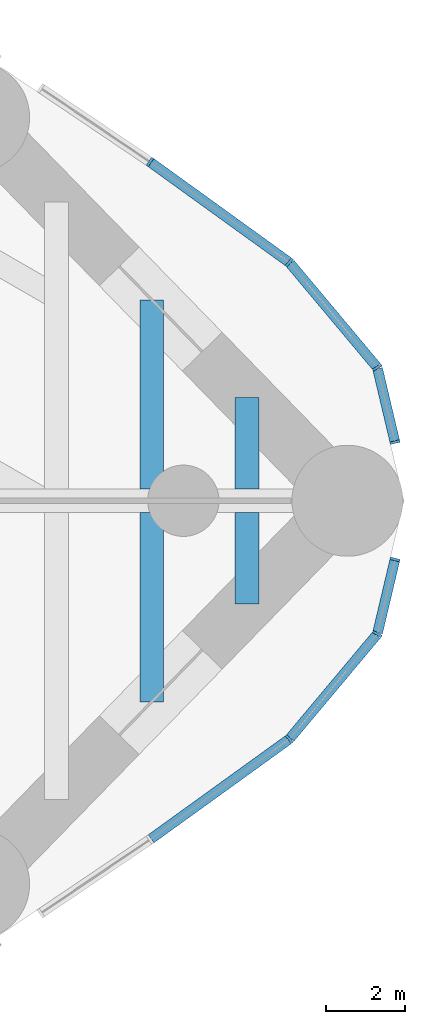
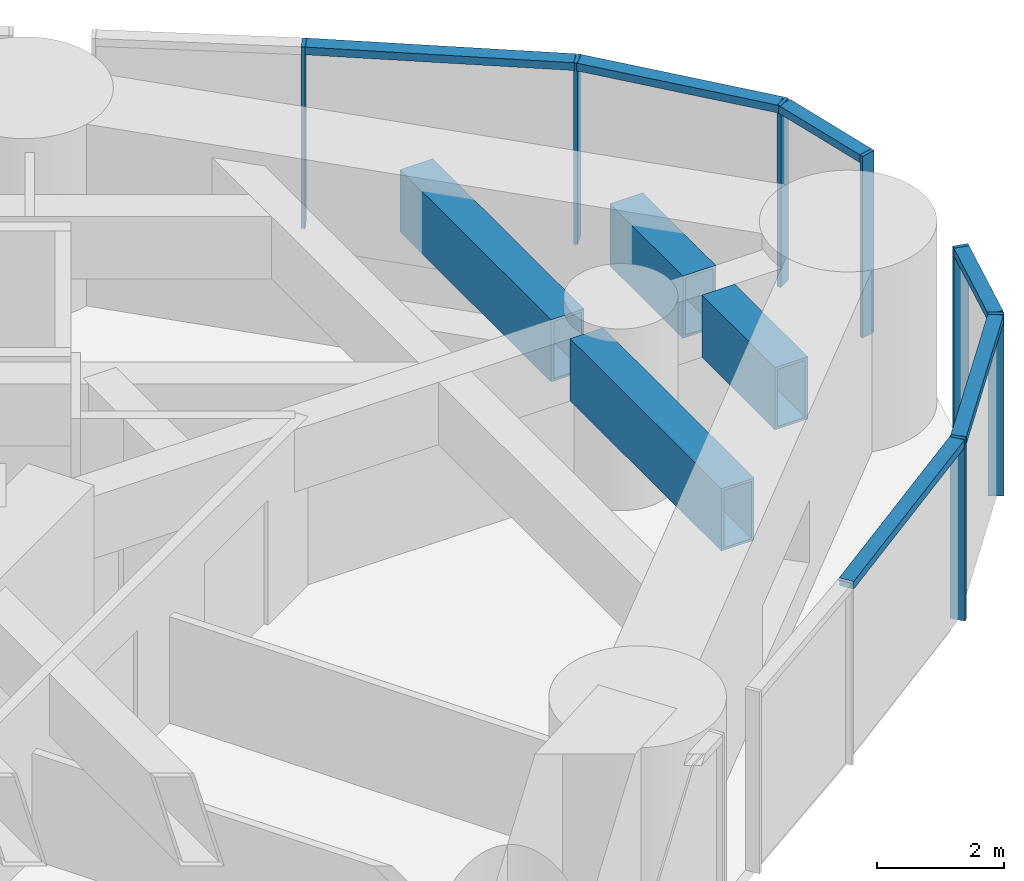
# One storey, part 9 of 17: 13 members, 4 beams, 2 elements without a shape of their own.
"""IFC4 building model written with IfcOpenShell, lengths in metres."""

from ifc_helpers import new_model, si_unit, direction, frame, origin, origin_2d, place, context, subcontext, project, spatial, rectangle, hollow_rectangle, extrude, material, material_profile, profile_set, type_object, element, aggregate, save


model = new_model("IFC4")

# Units and contexts
model_context = context("Model", 3, precision=1e-05, world=origin(), true_north=direction((0.0, 1.0)))
body_context = subcontext(model_context, "Body", "Model", "MODEL_VIEW")
ifc_project = project(units=[si_unit("LENGTHUNIT", "METRE"), si_unit("AREAUNIT", "SQUARE_METRE"), si_unit("VOLUMEUNIT", "CUBIC_METRE"), si_unit("PLANEANGLEUNIT", "RADIAN"), si_unit("MASSUNIT", "GRAM", prefix="KILO")], contexts=[model_context])

# Site, building, storey
site_placement = place(None, origin())
site = spatial("IfcSite", under=ifc_project, at=site_placement, CompositionType="ELEMENT")
building_placement = place(site_placement, origin())
building = spatial("IfcBuilding", under=site, at=building_placement, Name="Lancet Gate Hotel", CompositionType="ELEMENT")
storey_placement = place(building_placement, frame((0.0, 0.0, 201.800048828125)))
storey = spatial("IfcBuildingStorey", under=building, at=storey_placement, Name="L54", CompositionType="ELEMENT", Elevation=201.800048828125)

# Curtain wall, members
ifc_material_1 = material(Name="Aluminium curtain wall", Category="aluminium")
curtain_wall_type = type_object("IfcCurtainWallType", Name="Tower unitised curtain wall", PredefinedType="USERDEFINED", material=ifc_material_1)
curtain_wall_1_placement = place(storey_placement, origin())
curtain_wall_1 = element("IfcCurtainWall", 1, at=curtain_wall_1_placement, inside=storey, type_object=curtain_wall_type, Name="T2 L54 curtain wall 5", ObjectType="UNITISED CURTAIN WALL", PredefinedType="USERDEFINED")
ifc_material_2 = material(Name="Aluminium mullion", Category="aluminium")
ifc_material_profile_1 = material_profile(ifc_material_2, rectangle(XDim=0.06494140625, YDim=0.25, at=origin_2d()), Name="MULLION 65x250")
ifc_profile_set_1 = profile_set([ifc_material_profile_1], Name="Aluminium mullion")
member_type_1 = type_object("IfcMemberType", Name="Aluminium mullion 65x250", PredefinedType="MULLION", material=ifc_profile_set_1)
member_1_placement = place(storey_placement, frame((64.174560546875, -6.01123046875, 0.0), z_axis=(0.0, 0.0, 1.0), x_axis=(0.741693452951, 0.670739011725, 0.0)))
member_1 = element("IfcMember", 2, at=member_1_placement, type_object=member_type_1, Name="T2 L54 curtain wall 5 mullion 3", PredefinedType="MULLION", context=body_context, shape_type="SweptSolid", body=[
    extrude(rectangle(XDim=0.06494140625, YDim=0.25, at=origin_2d()), origin(), (0.0, 0.0, 1.0), 3.5),
])
member_2_placement = place(storey_placement, frame((66.3935546875, -3.362548828125, 0.0), z_axis=(0.0, 0.0, 1.0), x_axis=(0.506941142376, 0.861980671574, 0.0)))
member_2 = element("IfcMember", 3, at=member_2_placement, type_object=member_type_1, Name="T2 L54 curtain wall 5 mullion 4", PredefinedType="MULLION", context=body_context, shape_type="SweptSolid", body=[
    extrude(rectangle(XDim=0.06494140625, YDim=0.25, at=origin_2d()), origin(), (0.0, 0.0, 1.0), 3.5),
])
member_3_placement = place(storey_placement, frame((66.839111328125, -1.48046875, 0.0), z_axis=(0.0, 0.0, 1.0), x_axis=(0.230366568544, 0.973103922558, 0.0)))
member_3 = element("IfcMember", 4, at=member_3_placement, type_object=member_type_1, Name="T2 L54 curtain wall 5 mullion 5", PredefinedType="MULLION", context=body_context, shape_type="SweptSolid", body=[
    extrude(rectangle(XDim=0.06494140625, YDim=0.25, at=origin_2d()), origin(), (0.0, 0.0, 1.0), 3.5),
])

curtain_wall_2_placement = place(storey_placement, origin())
curtain_wall_2 = element("IfcCurtainWall", 5, at=curtain_wall_2_placement, inside=storey, type_object=curtain_wall_type, Name="T2 L54 curtain wall 6", ObjectType="UNITISED CURTAIN WALL", PredefinedType="USERDEFINED")
member_4_placement = place(storey_placement, frame((66.839111328125, 1.48046875, 0.0), z_axis=(0.0, 0.0, 1.0), x_axis=(-0.230366568544, 0.973103922558, 0.0)))
member_4 = element("IfcMember", 6, at=member_4_placement, type_object=member_type_1, Name="T2 L54 curtain wall 6 mullion 1", PredefinedType="MULLION", context=body_context, shape_type="SweptSolid", body=[
    extrude(rectangle(XDim=0.06494140625, YDim=0.25, at=origin_2d()), origin(), (0.0, 0.0, 1.0), 3.5),
])
member_5_placement = place(storey_placement, frame((66.3935546875, 3.362548828125, 0.0), z_axis=(0.0, 0.0, 1.0), x_axis=(-0.506941142376, 0.861980671574, 0.0)))
member_5 = element("IfcMember", 7, at=member_5_placement, type_object=member_type_1, Name="T2 L54 curtain wall 6 mullion 2", PredefinedType="MULLION", context=body_context, shape_type="SweptSolid", body=[
    extrude(rectangle(XDim=0.06494140625, YDim=0.25, at=origin_2d()), origin(), (0.0, 0.0, 1.0), 3.5),
])
member_6_placement = place(storey_placement, frame((64.174560546875, 6.01123046875, 0.0), z_axis=(0.0, 0.0, 1.0), x_axis=(-0.741693452951, 0.670739011725, 0.0)))
member_6 = element("IfcMember", 8, at=member_6_placement, type_object=member_type_1, Name="T2 L54 curtain wall 6 mullion 3", PredefinedType="MULLION", context=body_context, shape_type="SweptSolid", body=[
    extrude(rectangle(XDim=0.06494140625, YDim=0.25, at=origin_2d()), origin(), (0.0, 0.0, 1.0), 3.5),
])
member_7_placement = place(storey_placement, frame((60.66015625, 8.547607421875, 0.0), z_axis=(0.0, 0.0, 1.0), x_axis=(-0.818865629358, 0.573985262055, 0.0)))
member_7 = element("IfcMember", 9, at=member_7_placement, type_object=member_type_1, Name="T2 L54 curtain wall 6 mullion 4", PredefinedType="MULLION", context=body_context, shape_type="SweptSolid", body=[
    extrude(rectangle(XDim=0.06494140625, YDim=0.25, at=origin_2d()), origin(), (0.0, 0.0, 1.0), 3.5),
])

# Member
ifc_material_3 = material(Name="Aluminium transom", Category="aluminium")
ifc_material_profile_2 = material_profile(ifc_material_3, rectangle(XDim=0.25, YDim=0.14990234375, at=origin_2d()), Name="TRANSOM 250x150")
ifc_profile_set_2 = profile_set([ifc_material_profile_2], Name="Aluminium transom")
member_type_2 = type_object("IfcMemberType", Name="Aluminium transom 250x150", PredefinedType="USERDEFINED", material=ifc_profile_set_2)
member_8_placement = place(storey_placement, frame((60.6865234375, -8.528564453125, 3.425048828125), z_axis=(0.810879747578, 0.585212811691, 0.0), x_axis=(-0.585212811691, 0.810879747578, 0.0)))
member_8 = element("IfcMember", 10, at=member_8_placement, type_object=member_type_2, Name="T2 L54 curtain wall 5 transom 2", ObjectType="TRANSOM", PredefinedType="USERDEFINED", context=body_context, shape_type="SweptSolid", body=[
    extrude(rectangle(XDim=0.25, YDim=0.14990234375, at=origin_2d()), origin(), (0.0, 0.0, 1.0), 4.26904296875),
])

member_9_placement = place(storey_placement, frame((64.1953125, -5.986328125, 3.425048828125), z_axis=(0.642229010215, 0.766512816878, 0.0), x_axis=(-0.766512816878, 0.642229010215, 0.0)))
member_9 = element("IfcMember", 11, at=member_9_placement, type_object=member_type_2, Name="T2 L54 curtain wall 5 transom 3", ObjectType="TRANSOM", PredefinedType="USERDEFINED", context=body_context, shape_type="SweptSolid", body=[
    extrude(rectangle(XDim=0.25, YDim=0.14990234375, at=origin_2d()), origin(), (0.0, 0.0, 1.0), 3.390625),
])

member_10_placement = place(storey_placement, frame((66.401123046875, -3.3310546875, 3.425048828125), z_axis=(0.230378516928, 0.973101093894, 0.0), x_axis=(-0.973101093894, 0.230378516928, 0.0)))
member_10 = element("IfcMember", 12, at=member_10_placement, type_object=member_type_2, Name="T2 L54 curtain wall 5 transom 4", ObjectType="TRANSOM", PredefinedType="USERDEFINED", context=body_context, shape_type="SweptSolid", body=[
    extrude(rectangle(XDim=0.25, YDim=0.14990234375, at=origin_2d()), origin(), (0.0, 0.0, 1.0), 1.869384765625),
])

aggregate(curtain_wall_1, [member_1, member_2, member_3, member_8, member_9, member_10])

member_11_placement = place(storey_placement, frame((66.831787109375, 1.511962890625, 3.425048828125), z_axis=(-0.230378516928, 0.973101093894, 0.0), x_axis=(-0.973101093894, -0.230378516928, 0.0)))
member_11 = element("IfcMember", 13, at=member_11_placement, type_object=member_type_2, Name="T2 L54 curtain wall 6 transom 1", ObjectType="TRANSOM", PredefinedType="USERDEFINED", context=body_context, shape_type="SweptSolid", body=[
    extrude(rectangle(XDim=0.25, YDim=0.14990234375, at=origin_2d()), origin(), (0.0, 0.0, 1.0), 1.869384765625),
])

member_12_placement = place(storey_placement, frame((66.372802734375, 3.387451171875, 3.425048828125), z_axis=(-0.642229010215, 0.766512816878, 0.0), x_axis=(-0.766512816878, -0.642229010215, 0.0)))
member_12 = element("IfcMember", 14, at=member_12_placement, type_object=member_type_2, Name="T2 L54 curtain wall 6 transom 2", ObjectType="TRANSOM", PredefinedType="USERDEFINED", context=body_context, shape_type="SweptSolid", body=[
    extrude(rectangle(XDim=0.25, YDim=0.14990234375, at=origin_2d()), origin(), (0.0, 0.0, 1.0), 3.390625),
])

member_13_placement = place(storey_placement, frame((64.148193359375, 6.0302734375, 3.425048828125), z_axis=(-0.810879747578, 0.585212811691, 0.0), x_axis=(-0.585212811691, -0.810879747578, 0.0)))
member_13 = element("IfcMember", 15, at=member_13_placement, type_object=member_type_2, Name="T2 L54 curtain wall 6 transom 3", ObjectType="TRANSOM", PredefinedType="USERDEFINED", context=body_context, shape_type="SweptSolid", body=[
    extrude(rectangle(XDim=0.25, YDim=0.14990234375, at=origin_2d()), origin(), (0.0, 0.0, 1.0), 4.26904296875),
])

aggregate(curtain_wall_2, [member_4, member_5, member_6, member_7, member_11, member_12, member_13])

# Beams
ifc_material_4 = material(Name="Steel S460QL", Category="steel")
ifc_material_profile_3 = material_profile(ifc_material_4, hollow_rectangle(XDim=0.60009765625, YDim=1.199951171875, WallThickness=0.050048828125, at=origin_2d()), Name="BOX 1200x600x50")
ifc_profile_set_3 = profile_set([ifc_material_profile_3], Name="Steel S460QL")
beam_type = type_object("IfcBeamType", Name="Refuge floor beam BOX 1200x600x50", PredefinedType="BEAM", material=ifc_profile_set_3)
for number, where, z_axis, x_axis, name in (
    (16, (60.7021484375, -5.0703125, 2.64990234375), (0.0, 1.0, 0.0), (-1.0, 0.0, 0.0), "T2 floor beam F14S L54"),
    (17, (60.7021484375, 0.300048828125, 2.64990234375), (0.0, 1.0, 0.0), (-1.0, 0.0, 0.0), "T2 floor beam F15N L54"),
):
    element("IfcBeam", number, at=place(storey_placement, frame(where, z_axis=z_axis, x_axis=x_axis)), inside=storey, type_object=beam_type, Name=name, PredefinedType="BEAM", context=body_context, shape_type="SweptSolid", body=[
        extrude(hollow_rectangle(XDim=0.60009765625, YDim=1.199951171875, WallThickness=0.050048828125, at=origin_2d()), origin(), (0.0, 0.0, 1.0), 4.770263671875),
    ])
for number, where, z_axis, x_axis, name in (
    (18, (63.102294921875, -2.605712890625, 2.64990234375), (0.0, 1.0, 0.0), (-1.0, 0.0, 0.0), "T2 floor beam F16S L54"),
    (19, (63.102294921875, 0.300048828125, 2.64990234375), (0.0, 1.0, 0.0), (-1.0, 0.0, 0.0), "T2 floor beam F17N L54"),
):
    element("IfcBeam", number, at=place(storey_placement, frame(where, z_axis=z_axis, x_axis=x_axis)), inside=storey, type_object=beam_type, Name=name, PredefinedType="BEAM", context=body_context, shape_type="SweptSolid", body=[
        extrude(hollow_rectangle(XDim=0.60009765625, YDim=1.199951171875, WallThickness=0.050048828125, at=origin_2d()), origin(), (0.0, 0.0, 1.0), 2.3056640625),
    ])

save(model, "model.ifc")
